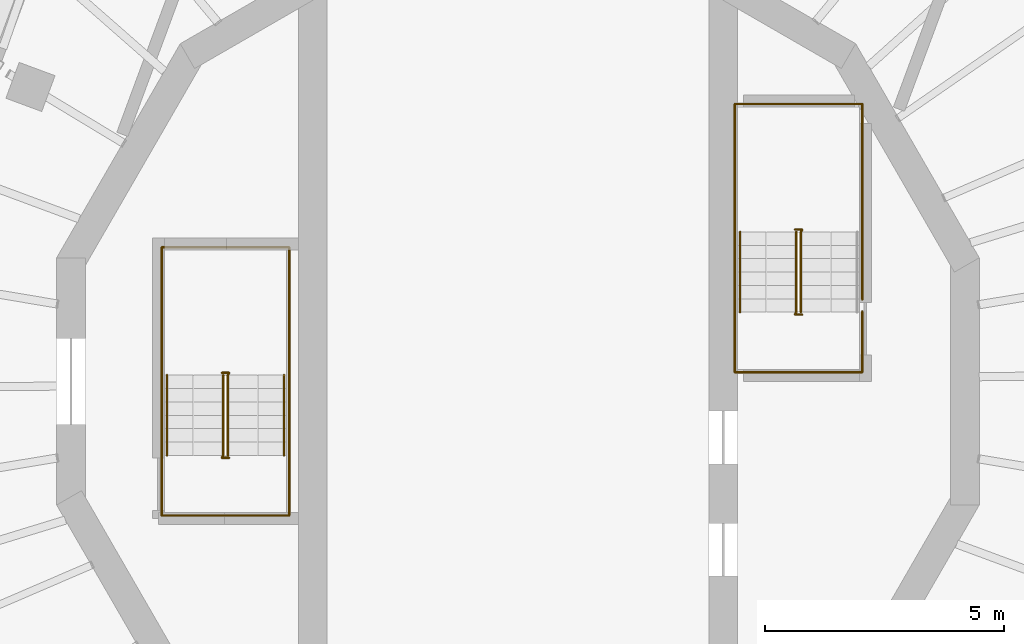
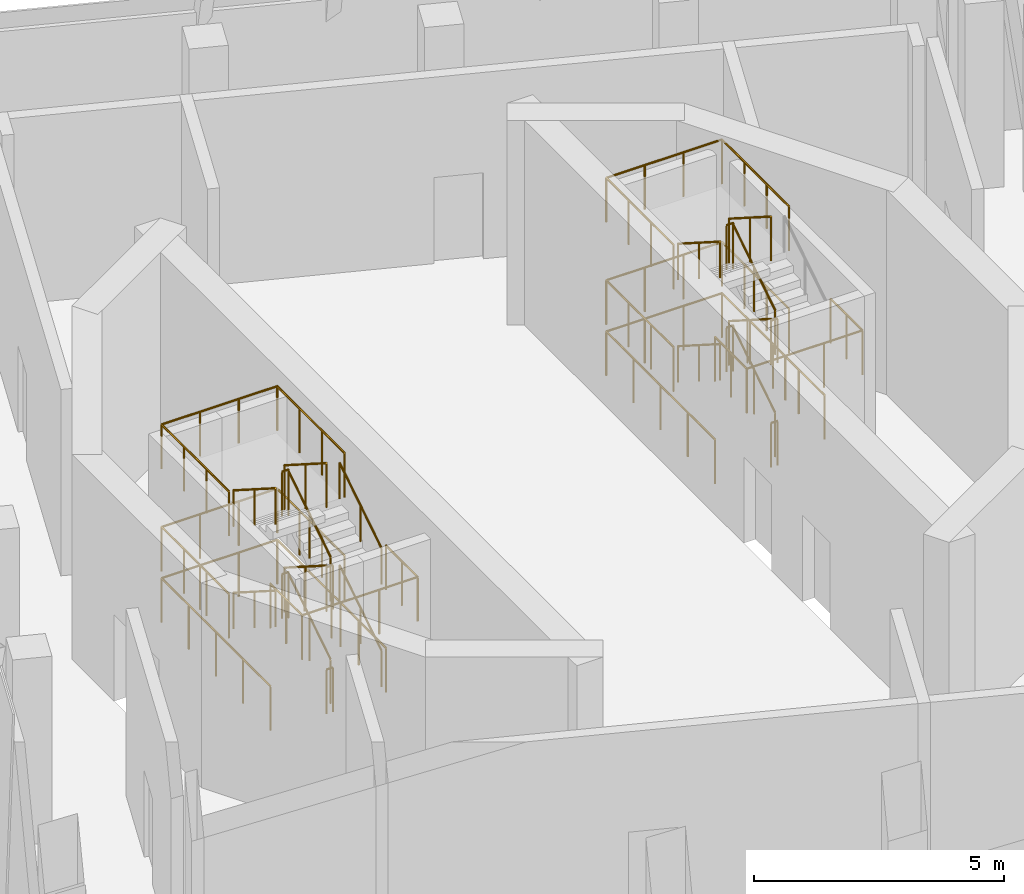
# One storey, part 12 of 13: 24 railings.
"""IFC4 building model written with IfcOpenShell, lengths in metres."""

from ifc_helpers import new_model, si_unit, direction, frame, origin, origin_2d, place, context, subcontext, project, spatial, circle, extrude, material, type_object, element, save


model = new_model("IFC4")

# Units and contexts
model_context = context("Model", 3, precision=1e-05, world=origin(), true_north=direction((0.0, 1.0)))
body_context = subcontext(model_context, "Body", "Model", "MODEL_VIEW")
ifc_project = project(units=[si_unit("LENGTHUNIT", "METRE"), si_unit("AREAUNIT", "SQUARE_METRE"), si_unit("VOLUMEUNIT", "CUBIC_METRE"), si_unit("PLANEANGLEUNIT", "RADIAN"), si_unit("MASSUNIT", "GRAM", prefix="KILO")], contexts=[model_context])

# Site, building, storey
site_placement = place(None, origin())
site = spatial("IfcSite", under=ifc_project, at=site_placement, CompositionType="ELEMENT")
building_placement = place(site_placement, origin())
building = spatial("IfcBuilding", under=site, at=building_placement, Name="Cantera Rosa Tower", CompositionType="ELEMENT")
storey_placement = place(building_placement, frame((0.0, 0.0, 355.699951171875)))
storey = spatial("IfcBuildingStorey", under=building, at=storey_placement, Name="L80", CompositionType="ELEMENT", Elevation=355.699951171875)

# Railings
ifc_material_1 = material(Name="Steel S355J2 (EN 10025-2)", Category="steel")
railing_type_1 = type_object("IfcRailingType", Name="STAIR GUARD 1100", PredefinedType="GUARDRAIL", material=ifc_material_1)
railing_1_placement = place(storey_placement, frame((-6.075927734375, -1.550048828125, 0.1787109375)))
element("IfcRailing", 1, at=railing_1_placement, inside=storey, type_object=railing_type_1, Name="L80 ST-71 stair guard 1", PredefinedType="GUARDRAIL", context=body_context, shape_type="SweptSolid", body=[
    extrude(circle(Radius=0.02392578125, at=origin_2d()), frame((0.0, 0.0, 1.076171875), z_axis=(0.0, 0.843151513386, 0.53767604138), x_axis=(-1.0, 0.0, 0.0)), (0.0, 0.0, 1.0), 1.992431640625),
    extrude(circle(Radius=0.02392578125, at=origin_2d()), frame((0.0, 1.679931640625, 2.1474609375), z_axis=(0.459305035911, 0.888278607187, 0.0), x_axis=(-0.888278607187, 0.459305035911, 0.0)), (0.0, 0.0, 1.0), 0.056396484375),
    extrude(circle(Radius=0.02392578125, at=origin_2d()), frame((0.02587890625, 1.72998046875, 2.1474609375), z_axis=(-1.0, 0.0, 0.0), x_axis=(0.0, -1.0, 0.0)), (0.0, 0.0, 1.0), 0.14990234375),
    extrude(circle(Radius=0.02099609375, at=origin_2d()), origin(), (0.0, 0.0, 1.0), 1.052001953125),
    extrude(circle(Radius=0.02099609375, at=origin_2d()), frame((0.0, 0.83984375, 0.53564453125)), (0.0, 0.0, 1.0), 1.052001953125),
    extrude(circle(Radius=0.02099609375, at=origin_2d()), frame((0.0, 1.679931640625, 1.0712890625)), (0.0, 0.0, 1.0), 1.052001953125),
    extrude(circle(Radius=0.02099609375, at=origin_2d()), frame((0.02587890625, 1.72998046875, 1.0712890625)), (0.0, 0.0, 1.0), 1.052001953125),
    extrude(circle(Radius=0.02099609375, at=origin_2d()), frame((-0.1240234375, 1.72998046875, 1.0712890625)), (0.0, 0.0, 1.0), 1.052001953125),
])
railing_2_placement = place(storey_placement, frame((-6.174072265625, 0.1298828125, 1.4287109375)))
element("IfcRailing", 2, at=railing_2_placement, inside=storey, type_object=railing_type_1, Name="L80 ST-71 stair guard 2", PredefinedType="GUARDRAIL", context=body_context, shape_type="SweptSolid", body=[
    extrude(circle(Radius=0.02392578125, at=origin_2d()), frame((0.0, 0.0, 1.076171875), z_axis=(0.0, -0.843151513386, 0.53767604138), x_axis=(1.0, 0.0, 0.0)), (0.0, 0.0, 1.0), 1.992431640625),
    extrude(circle(Radius=0.02392578125, at=origin_2d()), frame((0.0, -1.679931640625, 2.1474609375), z_axis=(-0.459305035911, -0.888278607187, 0.0), x_axis=(0.888278607187, -0.459305035911, 0.0)), (0.0, 0.0, 1.0), 0.056396484375),
    extrude(circle(Radius=0.02392578125, at=origin_2d()), frame((-0.02587890625, -1.72998046875, 2.1474609375), z_axis=(1.0, 0.0, 0.0), x_axis=(0.0, 1.0, 0.0)), (0.0, 0.0, 1.0), 0.14990234375),
    extrude(circle(Radius=0.02099609375, at=origin_2d()), origin(), (0.0, 0.0, 1.0), 1.052001953125),
    extrude(circle(Radius=0.02099609375, at=origin_2d()), frame((0.0, -0.83984375, 0.53564453125)), (0.0, 0.0, 1.0), 1.052001953125),
    extrude(circle(Radius=0.02099609375, at=origin_2d()), frame((0.0, -1.679931640625, 1.0712890625)), (0.0, 0.0, 1.0), 1.052001953125),
    extrude(circle(Radius=0.02099609375, at=origin_2d()), frame((-0.02587890625, -1.72998046875, 1.0712890625)), (0.0, 0.0, 1.0), 1.052001953125),
    extrude(circle(Radius=0.02099609375, at=origin_2d()), frame((0.1240234375, -1.72998046875, 1.0712890625)), (0.0, 0.0, 1.0), 1.052001953125),
])
railing_3_placement = place(storey_placement, frame((-6.075927734375, -1.550048828125, 2.6787109375)))
element("IfcRailing", 3, at=railing_3_placement, inside=storey, type_object=railing_type_1, Name="L80 ST-71 stair guard 3", PredefinedType="GUARDRAIL", context=body_context, shape_type="SweptSolid", body=[
    extrude(circle(Radius=0.02392578125, at=origin_2d()), frame((0.0, 0.0, 1.076171875), z_axis=(0.0, 0.843151513386, 0.53767604138), x_axis=(-1.0, 0.0, 0.0)), (0.0, 0.0, 1.0), 1.992431640625),
    extrude(circle(Radius=0.02392578125, at=origin_2d()), frame((0.0, 1.679931640625, 2.1474609375), z_axis=(0.459305035911, 0.888278607187, 0.0), x_axis=(-0.888278607187, 0.459305035911, 0.0)), (0.0, 0.0, 1.0), 0.056396484375),
    extrude(circle(Radius=0.02392578125, at=origin_2d()), frame((0.02587890625, 1.72998046875, 2.1474609375), z_axis=(-1.0, 0.0, 0.0), x_axis=(0.0, -1.0, 0.0)), (0.0, 0.0, 1.0), 0.14990234375),
    extrude(circle(Radius=0.02099609375, at=origin_2d()), origin(), (0.0, 0.0, 1.0), 1.052001953125),
    extrude(circle(Radius=0.02099609375, at=origin_2d()), frame((0.0, 0.83984375, 0.53564453125)), (0.0, 0.0, 1.0), 1.052001953125),
    extrude(circle(Radius=0.02099609375, at=origin_2d()), frame((0.0, 1.679931640625, 1.0712890625)), (0.0, 0.0, 1.0), 1.052001953125),
    extrude(circle(Radius=0.02099609375, at=origin_2d()), frame((0.02587890625, 1.72998046875, 1.0712890625)), (0.0, 0.0, 1.0), 1.052001953125),
    extrude(circle(Radius=0.02099609375, at=origin_2d()), frame((-0.1240234375, 1.72998046875, 1.0712890625)), (0.0, 0.0, 1.0), 1.052001953125),
])
railing_4_placement = place(storey_placement, frame((-6.174072265625, 0.1298828125, 3.9287109375)))
element("IfcRailing", 4, at=railing_4_placement, inside=storey, type_object=railing_type_1, Name="L80 ST-71 stair guard 4", PredefinedType="GUARDRAIL", context=body_context, shape_type="SweptSolid", body=[
    extrude(circle(Radius=0.02392578125, at=origin_2d()), frame((0.0, 0.0, 1.076171875), z_axis=(0.0, -0.843151513386, 0.53767604138), x_axis=(1.0, 0.0, 0.0)), (0.0, 0.0, 1.0), 1.992431640625),
    extrude(circle(Radius=0.02099609375, at=origin_2d()), origin(), (0.0, 0.0, 1.0), 1.052001953125),
    extrude(circle(Radius=0.02099609375, at=origin_2d()), frame((0.0, -0.83984375, 0.53564453125)), (0.0, 0.0, 1.0), 1.052001953125),
    extrude(circle(Radius=0.02099609375, at=origin_2d()), frame((0.0, -1.679931640625, 1.0712890625)), (0.0, 0.0, 1.0), 1.052001953125),
])
railing_5_placement = place(storey_placement, frame((-6.050048828125, -1.60009765625, 0.0)))
element("IfcRailing", 5, at=railing_5_placement, inside=storey, type_object=railing_type_1, Name="L80 ST-71 stair guard 5", PredefinedType="GUARDRAIL", context=body_context, shape_type="SweptSolid", body=[
    extrude(circle(Radius=0.02392578125, at=origin_2d()), frame((0.0, 0.0, 1.076171875), z_axis=(-1.0, 0.0, 0.0), x_axis=(0.0, -1.0, 0.0)), (0.0, 0.0, 1.0), 0.14990234375),
    extrude(circle(Radius=0.02099609375, at=origin_2d()), origin(), (0.0, 0.0, 1.0), 1.052001953125),
    extrude(circle(Radius=0.02099609375, at=origin_2d()), frame((-0.14990234375, 0.0, 0.0)), (0.0, 0.0, 1.0), 1.052001953125),
])
railing_6_placement = place(storey_placement, frame((-4.7900390625, -1.5380859375, 0.0)))
element("IfcRailing", 6, at=railing_6_placement, inside=storey, type_object=railing_type_1, Name="L80 ST-71 stair guard 6", PredefinedType="GUARDRAIL", context=body_context, shape_type="SweptSolid", body=[
    extrude(circle(Radius=0.02392578125, at=origin_2d()), frame((0.0, 0.0, 1.076171875), z_axis=(0.0, 1.0, 0.0), x_axis=(-1.0, 0.0, 0.0)), (0.0, 0.0, 1.0), 4.34814453125),
    extrude(circle(Radius=0.02392578125, at=origin_2d()), frame((0.0, 4.34814453125, 1.076171875), z_axis=(-1.0, 0.0, 0.0), x_axis=(0.0, -1.0, 0.0)), (0.0, 0.0, 1.0), 2.669921875),
    extrude(circle(Radius=0.02392578125, at=origin_2d()), frame((-2.669921875, 4.34814453125, 1.076171875), z_axis=(0.0, -1.0, 0.0), x_axis=(1.0, 0.0, 0.0)), (0.0, 0.0, 1.0), 4.34814453125),
    extrude(circle(Radius=0.02099609375, at=origin_2d()), origin(), (0.0, 0.0, 1.0), 1.052001953125),
    extrude(circle(Radius=0.02099609375, at=origin_2d()), frame((0.0, 1.0869140625, 0.0)), (0.0, 0.0, 1.0), 1.052001953125),
    extrude(circle(Radius=0.02099609375, at=origin_2d()), frame((0.0, 2.174072265625, 0.0)), (0.0, 0.0, 1.0), 1.052001953125),
    extrude(circle(Radius=0.02099609375, at=origin_2d()), frame((0.0, 3.26123046875, 0.0)), (0.0, 0.0, 1.0), 1.052001953125),
    extrude(circle(Radius=0.02099609375, at=origin_2d()), frame((0.0, 4.34814453125, 0.0)), (0.0, 0.0, 1.0), 1.052001953125),
    extrude(circle(Radius=0.02099609375, at=origin_2d()), frame((-0.889892578125, 4.34814453125, 0.0)), (0.0, 0.0, 1.0), 1.052001953125),
    extrude(circle(Radius=0.02099609375, at=origin_2d()), frame((-1.780029296875, 4.34814453125, 0.0)), (0.0, 0.0, 1.0), 1.052001953125),
    extrude(circle(Radius=0.02099609375, at=origin_2d()), frame((-2.669921875, 4.34814453125, 0.0)), (0.0, 0.0, 1.0), 1.052001953125),
    extrude(circle(Radius=0.02099609375, at=origin_2d()), frame((-2.669921875, 3.26123046875, 0.0)), (0.0, 0.0, 1.0), 1.052001953125),
    extrude(circle(Radius=0.02099609375, at=origin_2d()), frame((-2.669921875, 2.174072265625, 0.0)), (0.0, 0.0, 1.0), 1.052001953125),
    extrude(circle(Radius=0.02099609375, at=origin_2d()), frame((-2.669921875, 1.0869140625, 0.0)), (0.0, 0.0, 1.0), 1.052001953125),
    extrude(circle(Radius=0.02099609375, at=origin_2d()), frame((-2.669921875, 0.0, 0.0)), (0.0, 0.0, 1.0), 1.052001953125),
])
railing_7_placement = place(storey_placement, frame((-4.7900390625, 0.117919921875, 1.25)))
element("IfcRailing", 7, at=railing_7_placement, inside=storey, type_object=railing_type_1, Name="L80 ST-71 stair guard 7", PredefinedType="GUARDRAIL", context=body_context, shape_type="SweptSolid", body=[
    extrude(circle(Radius=0.02392578125, at=origin_2d()), frame((0.0, 0.0, 1.076171875), z_axis=(0.0, 1.0, 0.0), x_axis=(-1.0, 0.0, 0.0)), (0.0, 0.0, 1.0), 2.692138671875),
    extrude(circle(Radius=0.02392578125, at=origin_2d()), frame((0.0, 2.692138671875, 1.076171875), z_axis=(-1.0, 0.0, 0.0), x_axis=(0.0, -1.0, 0.0)), (0.0, 0.0, 1.0), 2.669921875),
    extrude(circle(Radius=0.02392578125, at=origin_2d()), frame((-2.669921875, 2.692138671875, 1.076171875), z_axis=(0.0, -1.0, 0.0), x_axis=(1.0, 0.0, 0.0)), (0.0, 0.0, 1.0), 2.692138671875),
    extrude(circle(Radius=0.02099609375, at=origin_2d()), origin(), (0.0, 0.0, 1.0), 1.052001953125),
    extrude(circle(Radius=0.02099609375, at=origin_2d()), frame((0.0, 0.8974609375, 0.0)), (0.0, 0.0, 1.0), 1.052001953125),
    extrude(circle(Radius=0.02099609375, at=origin_2d()), frame((0.0, 1.794677734375, 0.0)), (0.0, 0.0, 1.0), 1.052001953125),
    extrude(circle(Radius=0.02099609375, at=origin_2d()), frame((0.0, 2.692138671875, 0.0)), (0.0, 0.0, 1.0), 1.052001953125),
    extrude(circle(Radius=0.02099609375, at=origin_2d()), frame((-0.889892578125, 2.692138671875, 0.0)), (0.0, 0.0, 1.0), 1.052001953125),
    extrude(circle(Radius=0.02099609375, at=origin_2d()), frame((-1.780029296875, 2.692138671875, 0.0)), (0.0, 0.0, 1.0), 1.052001953125),
    extrude(circle(Radius=0.02099609375, at=origin_2d()), frame((-2.669921875, 2.692138671875, 0.0)), (0.0, 0.0, 1.0), 1.052001953125),
    extrude(circle(Radius=0.02099609375, at=origin_2d()), frame((-2.669921875, 1.794677734375, 0.0)), (0.0, 0.0, 1.0), 1.052001953125),
    extrude(circle(Radius=0.02099609375, at=origin_2d()), frame((-2.669921875, 0.8974609375, 0.0)), (0.0, 0.0, 1.0), 1.052001953125),
    extrude(circle(Radius=0.02099609375, at=origin_2d()), frame((-2.669921875, 0.0, 0.0)), (0.0, 0.0, 1.0), 1.052001953125),
])
railing_8_placement = place(storey_placement, frame((-4.7900390625, -1.5380859375, 2.5)))
element("IfcRailing", 8, at=railing_8_placement, inside=storey, type_object=railing_type_1, Name="L80 ST-71 stair guard 8", PredefinedType="GUARDRAIL", context=body_context, shape_type="SweptSolid", body=[
    extrude(circle(Radius=0.02392578125, at=origin_2d()), frame((0.0, 0.0, 1.076171875), z_axis=(0.0, -1.0, 0.0), x_axis=(1.0, 0.0, 0.0)), (0.0, 0.0, 1.0), 1.27197265625),
    extrude(circle(Radius=0.02392578125, at=origin_2d()), frame((0.0, -1.27197265625, 1.076171875), z_axis=(-1.0, 0.0, 0.0), x_axis=(0.0, -1.0, 0.0)), (0.0, 0.0, 1.0), 2.669921875),
    extrude(circle(Radius=0.02392578125, at=origin_2d()), frame((-2.669921875, -1.27197265625, 1.076171875), z_axis=(0.0, 1.0, 0.0), x_axis=(-1.0, 0.0, 0.0)), (0.0, 0.0, 1.0), 1.27197265625),
    extrude(circle(Radius=0.02099609375, at=origin_2d()), origin(), (0.0, 0.0, 1.0), 1.052001953125),
    extrude(circle(Radius=0.02099609375, at=origin_2d()), frame((0.0, -0.635986328125, 0.0)), (0.0, 0.0, 1.0), 1.052001953125),
    extrude(circle(Radius=0.02099609375, at=origin_2d()), frame((0.0, -1.27197265625, 0.0)), (0.0, 0.0, 1.0), 1.052001953125),
    extrude(circle(Radius=0.02099609375, at=origin_2d()), frame((-0.889892578125, -1.27197265625, 0.0)), (0.0, 0.0, 1.0), 1.052001953125),
    extrude(circle(Radius=0.02099609375, at=origin_2d()), frame((-1.780029296875, -1.27197265625, 0.0)), (0.0, 0.0, 1.0), 1.052001953125),
    extrude(circle(Radius=0.02099609375, at=origin_2d()), frame((-2.669921875, -1.27197265625, 0.0)), (0.0, 0.0, 1.0), 1.052001953125),
    extrude(circle(Radius=0.02099609375, at=origin_2d()), frame((-2.669921875, -0.635986328125, 0.0)), (0.0, 0.0, 1.0), 1.052001953125),
    extrude(circle(Radius=0.02099609375, at=origin_2d()), frame((-2.669921875, 0.0, 0.0)), (0.0, 0.0, 1.0), 1.052001953125),
])
railing_9_placement = place(storey_placement, frame((-4.7900390625, 0.117919921875, 3.75)))
element("IfcRailing", 9, at=railing_9_placement, inside=storey, type_object=railing_type_1, Name="L80 ST-71 stair guard 9", PredefinedType="GUARDRAIL", context=body_context, shape_type="SweptSolid", body=[
    extrude(circle(Radius=0.02392578125, at=origin_2d()), frame((0.0, 0.0, 1.076171875), z_axis=(0.0, 1.0, 0.0), x_axis=(-1.0, 0.0, 0.0)), (0.0, 0.0, 1.0), 2.692138671875),
    extrude(circle(Radius=0.02392578125, at=origin_2d()), frame((0.0, 2.692138671875, 1.076171875), z_axis=(-1.0, 0.0, 0.0), x_axis=(0.0, -1.0, 0.0)), (0.0, 0.0, 1.0), 2.669921875),
    extrude(circle(Radius=0.02392578125, at=origin_2d()), frame((-2.669921875, 2.692138671875, 1.076171875), z_axis=(0.0, -1.0, 0.0), x_axis=(1.0, 0.0, 0.0)), (0.0, 0.0, 1.0), 2.692138671875),
    extrude(circle(Radius=0.02099609375, at=origin_2d()), origin(), (0.0, 0.0, 1.0), 1.052001953125),
    extrude(circle(Radius=0.02099609375, at=origin_2d()), frame((0.0, 0.8974609375, 0.0)), (0.0, 0.0, 1.0), 1.052001953125),
    extrude(circle(Radius=0.02099609375, at=origin_2d()), frame((0.0, 1.794677734375, 0.0)), (0.0, 0.0, 1.0), 1.052001953125),
    extrude(circle(Radius=0.02099609375, at=origin_2d()), frame((0.0, 2.692138671875, 0.0)), (0.0, 0.0, 1.0), 1.052001953125),
    extrude(circle(Radius=0.02099609375, at=origin_2d()), frame((-0.889892578125, 2.692138671875, 0.0)), (0.0, 0.0, 1.0), 1.052001953125),
    extrude(circle(Radius=0.02099609375, at=origin_2d()), frame((-1.780029296875, 2.692138671875, 0.0)), (0.0, 0.0, 1.0), 1.052001953125),
    extrude(circle(Radius=0.02099609375, at=origin_2d()), frame((-2.669921875, 2.692138671875, 0.0)), (0.0, 0.0, 1.0), 1.052001953125),
    extrude(circle(Radius=0.02099609375, at=origin_2d()), frame((-2.669921875, 1.794677734375, 0.0)), (0.0, 0.0, 1.0), 1.052001953125),
    extrude(circle(Radius=0.02099609375, at=origin_2d()), frame((-2.669921875, 0.8974609375, 0.0)), (0.0, 0.0, 1.0), 1.052001953125),
    extrude(circle(Radius=0.02099609375, at=origin_2d()), frame((-2.669921875, 0.0, 0.0)), (0.0, 0.0, 1.0), 1.052001953125),
])
railing_10_placement = place(storey_placement, frame((5.924072265625, 1.449951171875, 0.1787109375)))
element("IfcRailing", 10, at=railing_10_placement, inside=storey, type_object=railing_type_1, Name="L80 ST-72 stair guard 1", PredefinedType="GUARDRAIL", context=body_context, shape_type="SweptSolid", body=[
    extrude(circle(Radius=0.02392578125, at=origin_2d()), frame((0.0, 0.0, 1.076171875), z_axis=(0.0, 0.843151513386, 0.53767604138), x_axis=(-1.0, 0.0, 0.0)), (0.0, 0.0, 1.0), 1.992431640625),
    extrude(circle(Radius=0.02392578125, at=origin_2d()), frame((0.0, 1.679931640625, 2.1474609375), z_axis=(0.459305035911, 0.888278607187, 0.0), x_axis=(-0.888278607187, 0.459305035911, 0.0)), (0.0, 0.0, 1.0), 0.056396484375),
    extrude(circle(Radius=0.02392578125, at=origin_2d()), frame((0.02587890625, 1.72998046875, 2.1474609375), z_axis=(-1.0, 0.0, 0.0), x_axis=(0.0, -1.0, 0.0)), (0.0, 0.0, 1.0), 0.14990234375),
    extrude(circle(Radius=0.02099609375, at=origin_2d()), origin(), (0.0, 0.0, 1.0), 1.052001953125),
    extrude(circle(Radius=0.02099609375, at=origin_2d()), frame((0.0, 0.83984375, 0.53564453125)), (0.0, 0.0, 1.0), 1.052001953125),
    extrude(circle(Radius=0.02099609375, at=origin_2d()), frame((0.0, 1.679931640625, 1.0712890625)), (0.0, 0.0, 1.0), 1.052001953125),
    extrude(circle(Radius=0.02099609375, at=origin_2d()), frame((0.02587890625, 1.72998046875, 1.0712890625)), (0.0, 0.0, 1.0), 1.052001953125),
    extrude(circle(Radius=0.02099609375, at=origin_2d()), frame((-0.1240234375, 1.72998046875, 1.0712890625)), (0.0, 0.0, 1.0), 1.052001953125),
])
railing_11_placement = place(storey_placement, frame((5.825927734375, 3.1298828125, 1.4287109375)))
element("IfcRailing", 11, at=railing_11_placement, inside=storey, type_object=railing_type_1, Name="L80 ST-72 stair guard 2", PredefinedType="GUARDRAIL", context=body_context, shape_type="SweptSolid", body=[
    extrude(circle(Radius=0.02392578125, at=origin_2d()), frame((0.0, 0.0, 1.076171875), z_axis=(0.0, -0.843151513386, 0.53767604138), x_axis=(1.0, 0.0, 0.0)), (0.0, 0.0, 1.0), 1.992431640625),
    extrude(circle(Radius=0.02392578125, at=origin_2d()), frame((0.0, -1.679931640625, 2.1474609375), z_axis=(-0.459305035911, -0.888278607187, 0.0), x_axis=(0.888278607187, -0.459305035911, 0.0)), (0.0, 0.0, 1.0), 0.056396484375),
    extrude(circle(Radius=0.02392578125, at=origin_2d()), frame((-0.02587890625, -1.72998046875, 2.1474609375), z_axis=(1.0, 0.0, 0.0), x_axis=(0.0, 1.0, 0.0)), (0.0, 0.0, 1.0), 0.14990234375),
    extrude(circle(Radius=0.02099609375, at=origin_2d()), origin(), (0.0, 0.0, 1.0), 1.052001953125),
    extrude(circle(Radius=0.02099609375, at=origin_2d()), frame((0.0, -0.83984375, 0.53564453125)), (0.0, 0.0, 1.0), 1.052001953125),
    extrude(circle(Radius=0.02099609375, at=origin_2d()), frame((0.0, -1.679931640625, 1.0712890625)), (0.0, 0.0, 1.0), 1.052001953125),
    extrude(circle(Radius=0.02099609375, at=origin_2d()), frame((-0.02587890625, -1.72998046875, 1.0712890625)), (0.0, 0.0, 1.0), 1.052001953125),
    extrude(circle(Radius=0.02099609375, at=origin_2d()), frame((0.1240234375, -1.72998046875, 1.0712890625)), (0.0, 0.0, 1.0), 1.052001953125),
])
railing_12_placement = place(storey_placement, frame((5.924072265625, 1.449951171875, 2.6787109375)))
element("IfcRailing", 12, at=railing_12_placement, inside=storey, type_object=railing_type_1, Name="L80 ST-72 stair guard 3", PredefinedType="GUARDRAIL", context=body_context, shape_type="SweptSolid", body=[
    extrude(circle(Radius=0.02392578125, at=origin_2d()), frame((0.0, 0.0, 1.076171875), z_axis=(0.0, 0.843151513386, 0.53767604138), x_axis=(-1.0, 0.0, 0.0)), (0.0, 0.0, 1.0), 1.992431640625),
    extrude(circle(Radius=0.02392578125, at=origin_2d()), frame((0.0, 1.679931640625, 2.1474609375), z_axis=(0.459305035911, 0.888278607187, 0.0), x_axis=(-0.888278607187, 0.459305035911, 0.0)), (0.0, 0.0, 1.0), 0.056396484375),
    extrude(circle(Radius=0.02392578125, at=origin_2d()), frame((0.02587890625, 1.72998046875, 2.1474609375), z_axis=(-1.0, 0.0, 0.0), x_axis=(0.0, -1.0, 0.0)), (0.0, 0.0, 1.0), 0.14990234375),
    extrude(circle(Radius=0.02099609375, at=origin_2d()), origin(), (0.0, 0.0, 1.0), 1.052001953125),
    extrude(circle(Radius=0.02099609375, at=origin_2d()), frame((0.0, 0.83984375, 0.53564453125)), (0.0, 0.0, 1.0), 1.052001953125),
    extrude(circle(Radius=0.02099609375, at=origin_2d()), frame((0.0, 1.679931640625, 1.0712890625)), (0.0, 0.0, 1.0), 1.052001953125),
    extrude(circle(Radius=0.02099609375, at=origin_2d()), frame((0.02587890625, 1.72998046875, 1.0712890625)), (0.0, 0.0, 1.0), 1.052001953125),
    extrude(circle(Radius=0.02099609375, at=origin_2d()), frame((-0.1240234375, 1.72998046875, 1.0712890625)), (0.0, 0.0, 1.0), 1.052001953125),
])
railing_13_placement = place(storey_placement, frame((5.825927734375, 3.1298828125, 3.9287109375)))
element("IfcRailing", 13, at=railing_13_placement, inside=storey, type_object=railing_type_1, Name="L80 ST-72 stair guard 4", PredefinedType="GUARDRAIL", context=body_context, shape_type="SweptSolid", body=[
    extrude(circle(Radius=0.02392578125, at=origin_2d()), frame((0.0, 0.0, 1.076171875), z_axis=(0.0, -0.843151513386, 0.53767604138), x_axis=(1.0, 0.0, 0.0)), (0.0, 0.0, 1.0), 1.992431640625),
    extrude(circle(Radius=0.02099609375, at=origin_2d()), origin(), (0.0, 0.0, 1.0), 1.052001953125),
    extrude(circle(Radius=0.02099609375, at=origin_2d()), frame((0.0, -0.83984375, 0.53564453125)), (0.0, 0.0, 1.0), 1.052001953125),
    extrude(circle(Radius=0.02099609375, at=origin_2d()), frame((0.0, -1.679931640625, 1.0712890625)), (0.0, 0.0, 1.0), 1.052001953125),
])
railing_14_placement = place(storey_placement, frame((5.949951171875, 1.39990234375, 0.0)))
element("IfcRailing", 14, at=railing_14_placement, inside=storey, type_object=railing_type_1, Name="L80 ST-72 stair guard 5", PredefinedType="GUARDRAIL", context=body_context, shape_type="SweptSolid", body=[
    extrude(circle(Radius=0.02392578125, at=origin_2d()), frame((0.0, 0.0, 1.076171875), z_axis=(-1.0, 0.0, 0.0), x_axis=(0.0, -1.0, 0.0)), (0.0, 0.0, 1.0), 0.14990234375),
    extrude(circle(Radius=0.02099609375, at=origin_2d()), origin(), (0.0, 0.0, 1.0), 1.052001953125),
    extrude(circle(Radius=0.02099609375, at=origin_2d()), frame((-0.14990234375, 0.0, 0.0)), (0.0, 0.0, 1.0), 1.052001953125),
])
railing_15_placement = place(storey_placement, frame((7.2099609375, 1.7099609375, 0.0)))
element("IfcRailing", 15, at=railing_15_placement, inside=storey, type_object=railing_type_1, Name="L80 ST-72 stair guard 6", PredefinedType="GUARDRAIL", context=body_context, shape_type="SweptSolid", body=[
    extrude(circle(Radius=0.02392578125, at=origin_2d()), frame((0.0, 0.0, 1.076171875), z_axis=(0.0, 1.0, 0.0), x_axis=(-1.0, 0.0, 0.0)), (0.0, 0.0, 1.0), 4.10009765625),
    extrude(circle(Radius=0.02392578125, at=origin_2d()), frame((0.0, 4.10009765625, 1.076171875), z_axis=(-1.0, 0.0, 0.0), x_axis=(0.0, -1.0, 0.0)), (0.0, 0.0, 1.0), 2.669921875),
    extrude(circle(Radius=0.02392578125, at=origin_2d()), frame((-2.669921875, 4.10009765625, 1.076171875), z_axis=(0.0, -1.0, 0.0), x_axis=(1.0, 0.0, 0.0)), (0.0, 0.0, 1.0), 4.34814453125),
    extrude(circle(Radius=0.02099609375, at=origin_2d()), origin(), (0.0, 0.0, 1.0), 1.052001953125),
    extrude(circle(Radius=0.02099609375, at=origin_2d()), frame((0.0, 1.02490234375, 0.0)), (0.0, 0.0, 1.0), 1.052001953125),
    extrude(circle(Radius=0.02099609375, at=origin_2d()), frame((0.0, 2.050048828125, 0.0)), (0.0, 0.0, 1.0), 1.052001953125),
    extrude(circle(Radius=0.02099609375, at=origin_2d()), frame((0.0, 3.0751953125, 0.0)), (0.0, 0.0, 1.0), 1.052001953125),
    extrude(circle(Radius=0.02099609375, at=origin_2d()), frame((0.0, 4.10009765625, 0.0)), (0.0, 0.0, 1.0), 1.052001953125),
    extrude(circle(Radius=0.02099609375, at=origin_2d()), frame((-0.889892578125, 4.10009765625, 0.0)), (0.0, 0.0, 1.0), 1.052001953125),
    extrude(circle(Radius=0.02099609375, at=origin_2d()), frame((-1.780029296875, 4.10009765625, 0.0)), (0.0, 0.0, 1.0), 1.052001953125),
    extrude(circle(Radius=0.02099609375, at=origin_2d()), frame((-2.669921875, 4.10009765625, 0.0)), (0.0, 0.0, 1.0), 1.052001953125),
    extrude(circle(Radius=0.02099609375, at=origin_2d()), frame((-2.669921875, 3.01318359375, 0.0)), (0.0, 0.0, 1.0), 1.052001953125),
    extrude(circle(Radius=0.02099609375, at=origin_2d()), frame((-2.669921875, 1.926025390625, 0.0)), (0.0, 0.0, 1.0), 1.052001953125),
    extrude(circle(Radius=0.02099609375, at=origin_2d()), frame((-2.669921875, 0.8388671875, 0.0)), (0.0, 0.0, 1.0), 1.052001953125),
    extrude(circle(Radius=0.02099609375, at=origin_2d()), frame((-2.669921875, -0.248046875, 0.0)), (0.0, 0.0, 1.0), 1.052001953125),
])
railing_16_placement = place(storey_placement, frame((7.2099609375, 3.117919921875, 1.25)))
element("IfcRailing", 16, at=railing_16_placement, inside=storey, type_object=railing_type_1, Name="L80 ST-72 stair guard 7", PredefinedType="GUARDRAIL", context=body_context, shape_type="SweptSolid", body=[
    extrude(circle(Radius=0.02392578125, at=origin_2d()), frame((0.0, 0.0, 1.076171875), z_axis=(0.0, 1.0, 0.0), x_axis=(-1.0, 0.0, 0.0)), (0.0, 0.0, 1.0), 2.692138671875),
    extrude(circle(Radius=0.02392578125, at=origin_2d()), frame((0.0, 2.692138671875, 1.076171875), z_axis=(-1.0, 0.0, 0.0), x_axis=(0.0, -1.0, 0.0)), (0.0, 0.0, 1.0), 2.669921875),
    extrude(circle(Radius=0.02392578125, at=origin_2d()), frame((-2.669921875, 2.692138671875, 1.076171875), z_axis=(0.0, -1.0, 0.0), x_axis=(1.0, 0.0, 0.0)), (0.0, 0.0, 1.0), 2.692138671875),
    extrude(circle(Radius=0.02099609375, at=origin_2d()), origin(), (0.0, 0.0, 1.0), 1.052001953125),
    extrude(circle(Radius=0.02099609375, at=origin_2d()), frame((0.0, 0.8974609375, 0.0)), (0.0, 0.0, 1.0), 1.052001953125),
    extrude(circle(Radius=0.02099609375, at=origin_2d()), frame((0.0, 1.794677734375, 0.0)), (0.0, 0.0, 1.0), 1.052001953125),
    extrude(circle(Radius=0.02099609375, at=origin_2d()), frame((0.0, 2.692138671875, 0.0)), (0.0, 0.0, 1.0), 1.052001953125),
    extrude(circle(Radius=0.02099609375, at=origin_2d()), frame((-0.889892578125, 2.692138671875, 0.0)), (0.0, 0.0, 1.0), 1.052001953125),
    extrude(circle(Radius=0.02099609375, at=origin_2d()), frame((-1.780029296875, 2.692138671875, 0.0)), (0.0, 0.0, 1.0), 1.052001953125),
    extrude(circle(Radius=0.02099609375, at=origin_2d()), frame((-2.669921875, 2.692138671875, 0.0)), (0.0, 0.0, 1.0), 1.052001953125),
    extrude(circle(Radius=0.02099609375, at=origin_2d()), frame((-2.669921875, 1.794677734375, 0.0)), (0.0, 0.0, 1.0), 1.052001953125),
    extrude(circle(Radius=0.02099609375, at=origin_2d()), frame((-2.669921875, 0.8974609375, 0.0)), (0.0, 0.0, 1.0), 1.052001953125),
    extrude(circle(Radius=0.02099609375, at=origin_2d()), frame((-2.669921875, 0.0, 0.0)), (0.0, 0.0, 1.0), 1.052001953125),
])
railing_17_placement = place(storey_placement, frame((7.2099609375, 1.4619140625, 2.5)))
element("IfcRailing", 17, at=railing_17_placement, inside=storey, type_object=railing_type_1, Name="L80 ST-72 stair guard 8", PredefinedType="GUARDRAIL", context=body_context, shape_type="SweptSolid", body=[
    extrude(circle(Radius=0.02392578125, at=origin_2d()), frame((0.0, 0.0, 1.076171875), z_axis=(0.0, -1.0, 0.0), x_axis=(1.0, 0.0, 0.0)), (0.0, 0.0, 1.0), 1.27197265625),
    extrude(circle(Radius=0.02392578125, at=origin_2d()), frame((0.0, -1.27197265625, 1.076171875), z_axis=(-1.0, 0.0, 0.0), x_axis=(0.0, -1.0, 0.0)), (0.0, 0.0, 1.0), 2.669921875),
    extrude(circle(Radius=0.02392578125, at=origin_2d()), frame((-2.669921875, -1.27197265625, 1.076171875), z_axis=(0.0, 1.0, 0.0), x_axis=(-1.0, 0.0, 0.0)), (0.0, 0.0, 1.0), 1.27197265625),
    extrude(circle(Radius=0.02099609375, at=origin_2d()), origin(), (0.0, 0.0, 1.0), 1.052001953125),
    extrude(circle(Radius=0.02099609375, at=origin_2d()), frame((0.0, -0.635986328125, 0.0)), (0.0, 0.0, 1.0), 1.052001953125),
    extrude(circle(Radius=0.02099609375, at=origin_2d()), frame((0.0, -1.27197265625, 0.0)), (0.0, 0.0, 1.0), 1.052001953125),
    extrude(circle(Radius=0.02099609375, at=origin_2d()), frame((-0.889892578125, -1.27197265625, 0.0)), (0.0, 0.0, 1.0), 1.052001953125),
    extrude(circle(Radius=0.02099609375, at=origin_2d()), frame((-1.780029296875, -1.27197265625, 0.0)), (0.0, 0.0, 1.0), 1.052001953125),
    extrude(circle(Radius=0.02099609375, at=origin_2d()), frame((-2.669921875, -1.27197265625, 0.0)), (0.0, 0.0, 1.0), 1.052001953125),
    extrude(circle(Radius=0.02099609375, at=origin_2d()), frame((-2.669921875, -0.635986328125, 0.0)), (0.0, 0.0, 1.0), 1.052001953125),
    extrude(circle(Radius=0.02099609375, at=origin_2d()), frame((-2.669921875, 0.0, 0.0)), (0.0, 0.0, 1.0), 1.052001953125),
])
railing_18_placement = place(storey_placement, frame((7.2099609375, 3.117919921875, 3.75)))
element("IfcRailing", 18, at=railing_18_placement, inside=storey, type_object=railing_type_1, Name="L80 ST-72 stair guard 9", PredefinedType="GUARDRAIL", context=body_context, shape_type="SweptSolid", body=[
    extrude(circle(Radius=0.02392578125, at=origin_2d()), frame((0.0, 0.0, 1.076171875), z_axis=(0.0, 1.0, 0.0), x_axis=(-1.0, 0.0, 0.0)), (0.0, 0.0, 1.0), 2.692138671875),
    extrude(circle(Radius=0.02392578125, at=origin_2d()), frame((0.0, 2.692138671875, 1.076171875), z_axis=(-1.0, 0.0, 0.0), x_axis=(0.0, -1.0, 0.0)), (0.0, 0.0, 1.0), 2.669921875),
    extrude(circle(Radius=0.02392578125, at=origin_2d()), frame((-2.669921875, 2.692138671875, 1.076171875), z_axis=(0.0, -1.0, 0.0), x_axis=(1.0, 0.0, 0.0)), (0.0, 0.0, 1.0), 2.692138671875),
    extrude(circle(Radius=0.02099609375, at=origin_2d()), origin(), (0.0, 0.0, 1.0), 1.052001953125),
    extrude(circle(Radius=0.02099609375, at=origin_2d()), frame((0.0, 0.8974609375, 0.0)), (0.0, 0.0, 1.0), 1.052001953125),
    extrude(circle(Radius=0.02099609375, at=origin_2d()), frame((0.0, 1.794677734375, 0.0)), (0.0, 0.0, 1.0), 1.052001953125),
    extrude(circle(Radius=0.02099609375, at=origin_2d()), frame((0.0, 2.692138671875, 0.0)), (0.0, 0.0, 1.0), 1.052001953125),
    extrude(circle(Radius=0.02099609375, at=origin_2d()), frame((-0.889892578125, 2.692138671875, 0.0)), (0.0, 0.0, 1.0), 1.052001953125),
    extrude(circle(Radius=0.02099609375, at=origin_2d()), frame((-1.780029296875, 2.692138671875, 0.0)), (0.0, 0.0, 1.0), 1.052001953125),
    extrude(circle(Radius=0.02099609375, at=origin_2d()), frame((-2.669921875, 2.692138671875, 0.0)), (0.0, 0.0, 1.0), 1.052001953125),
    extrude(circle(Radius=0.02099609375, at=origin_2d()), frame((-2.669921875, 1.794677734375, 0.0)), (0.0, 0.0, 1.0), 1.052001953125),
    extrude(circle(Radius=0.02099609375, at=origin_2d()), frame((-2.669921875, 0.8974609375, 0.0)), (0.0, 0.0, 1.0), 1.052001953125),
    extrude(circle(Radius=0.02099609375, at=origin_2d()), frame((-2.669921875, 0.0, 0.0)), (0.0, 0.0, 1.0), 1.052001953125),
])
ifc_material_2 = material(Name="Steel S355J2 (EN 10025-2)", Category="steel")
railing_type_2 = type_object("IfcRailingType", Name="STAIR HANDRAIL 900", PredefinedType="HANDRAIL", material=ifc_material_2)
railing_19_placement = place(storey_placement, frame((-4.89990234375, -1.550048828125, 0.1787109375)))
element("IfcRailing", 19, at=railing_19_placement, inside=storey, type_object=railing_type_2, Name="L80 ST-71 stair handrail 1", PredefinedType="HANDRAIL", context=body_context, shape_type="SweptSolid", body=[
    extrude(circle(Radius=0.02392578125, at=origin_2d()), frame((0.0, 0.0, 0.8759765625), z_axis=(0.0, 0.843151513386, 0.53767604138), x_axis=(-1.0, 0.0, 0.0)), (0.0, 0.0, 1.0), 1.992431640625),
    extrude(circle(Radius=0.02099609375, at=origin_2d()), origin(), (0.0, 0.0, 1.0), 0.851806640625),
    extrude(circle(Radius=0.02099609375, at=origin_2d()), frame((0.0, 0.83984375, 0.53564453125)), (0.0, 0.0, 1.0), 0.851806640625),
    extrude(circle(Radius=0.02099609375, at=origin_2d()), frame((0.0, 1.679931640625, 1.0712890625)), (0.0, 0.0, 1.0), 0.851806640625),
])
railing_20_placement = place(storey_placement, frame((-7.35009765625, 0.1298828125, 1.4287109375)))
element("IfcRailing", 20, at=railing_20_placement, inside=storey, type_object=railing_type_2, Name="L80 ST-71 stair handrail 2", PredefinedType="HANDRAIL", context=body_context, shape_type="SweptSolid", body=[
    extrude(circle(Radius=0.02392578125, at=origin_2d()), frame((0.0, 0.0, 0.8759765625), z_axis=(0.0, -0.843151513386, 0.53767604138), x_axis=(1.0, 0.0, 0.0)), (0.0, 0.0, 1.0), 1.992431640625),
    extrude(circle(Radius=0.02099609375, at=origin_2d()), origin(), (0.0, 0.0, 1.0), 0.851806640625),
    extrude(circle(Radius=0.02099609375, at=origin_2d()), frame((0.0, -0.83984375, 0.53564453125)), (0.0, 0.0, 1.0), 0.851806640625),
    extrude(circle(Radius=0.02099609375, at=origin_2d()), frame((0.0, -1.679931640625, 1.0712890625)), (0.0, 0.0, 1.0), 0.851806640625),
])
railing_21_placement = place(storey_placement, frame((-4.89990234375, -1.550048828125, 2.6787109375)))
element("IfcRailing", 21, at=railing_21_placement, inside=storey, type_object=railing_type_2, Name="L80 ST-71 stair handrail 3", PredefinedType="HANDRAIL", context=body_context, shape_type="SweptSolid", body=[
    extrude(circle(Radius=0.02392578125, at=origin_2d()), frame((0.0, 0.0, 0.8759765625), z_axis=(0.0, 0.843151513386, 0.53767604138), x_axis=(-1.0, 0.0, 0.0)), (0.0, 0.0, 1.0), 1.992431640625),
    extrude(circle(Radius=0.02099609375, at=origin_2d()), origin(), (0.0, 0.0, 1.0), 0.851806640625),
    extrude(circle(Radius=0.02099609375, at=origin_2d()), frame((0.0, 0.83984375, 0.53564453125)), (0.0, 0.0, 1.0), 0.851806640625),
    extrude(circle(Radius=0.02099609375, at=origin_2d()), frame((0.0, 1.679931640625, 1.0712890625)), (0.0, 0.0, 1.0), 0.851806640625),
])
for number, where, name in (
    (22, (-7.35009765625, 0.1298828125, 3.9287109375), "L80 ST-71 stair handrail 4"),
    (23, (4.64990234375, 3.1298828125, 1.4287109375), "L80 ST-72 stair handrail 2"),
    (24, (4.64990234375, 3.1298828125, 3.9287109375), "L80 ST-72 stair handrail 4"),
):
    element("IfcRailing", number, at=place(storey_placement, frame(where)), inside=storey, type_object=railing_type_2, Name=name, PredefinedType="HANDRAIL", context=body_context, shape_type="SweptSolid", body=[
        extrude(circle(Radius=0.02392578125, at=origin_2d()), frame((0.0, 0.0, 0.8759765625), z_axis=(0.0, -0.843151513386, 0.53767604138), x_axis=(1.0, 0.0, 0.0)), (0.0, 0.0, 1.0), 1.992431640625),
        extrude(circle(Radius=0.02099609375, at=origin_2d()), origin(), (0.0, 0.0, 1.0), 0.851806640625),
        extrude(circle(Radius=0.02099609375, at=origin_2d()), frame((0.0, -0.83984375, 0.53564453125)), (0.0, 0.0, 1.0), 0.851806640625),
        extrude(circle(Radius=0.02099609375, at=origin_2d()), frame((0.0, -1.679931640625, 1.0712890625)), (0.0, 0.0, 1.0), 0.851806640625),
    ])

save(model, "model.ifc")
